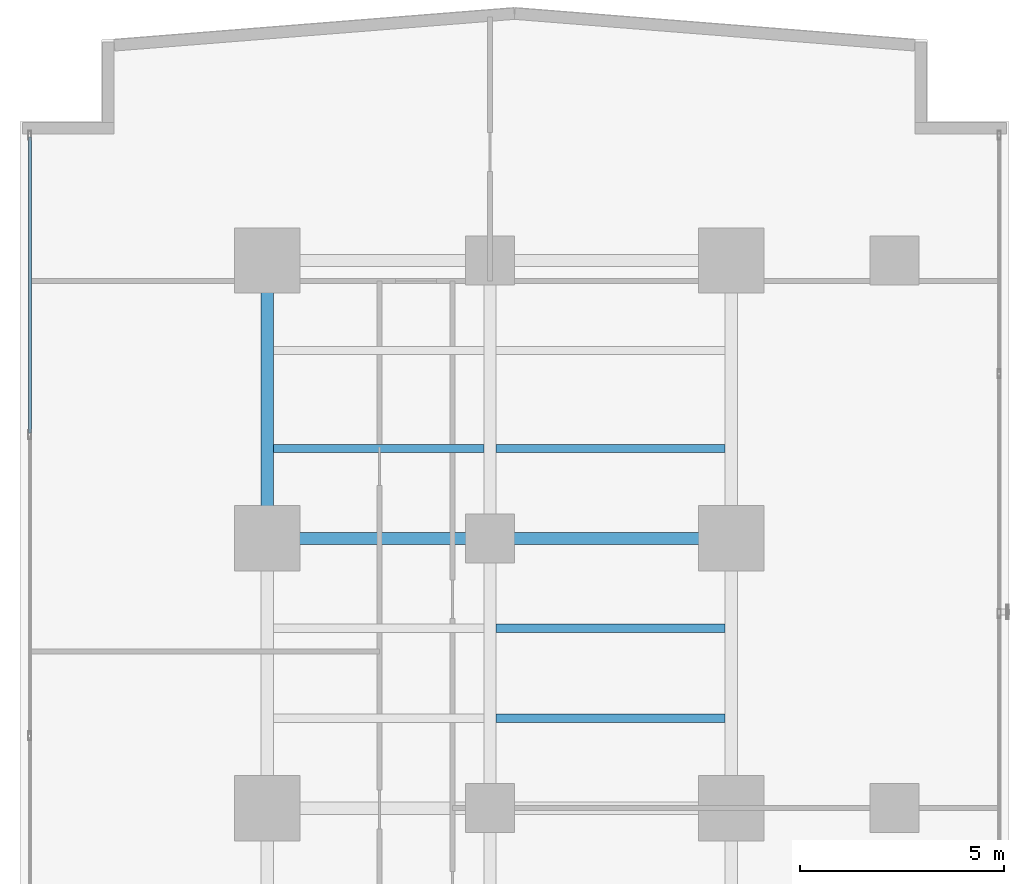
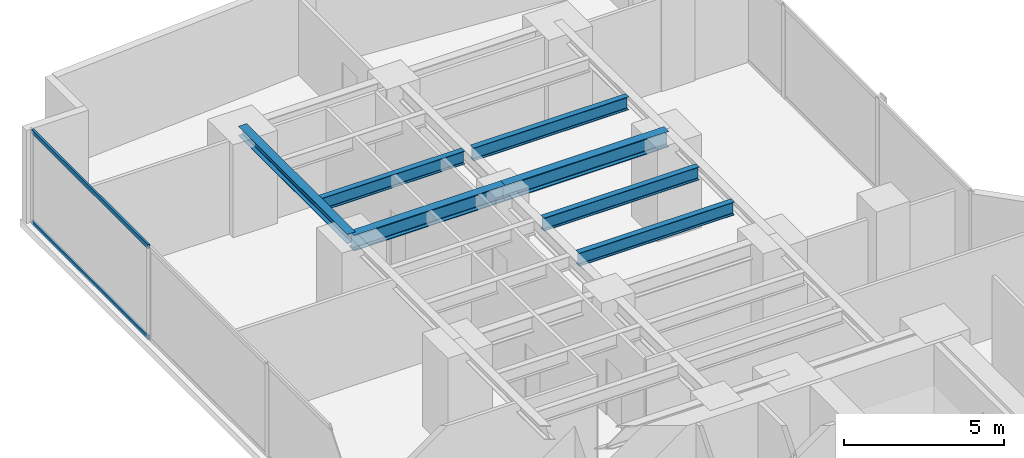
# One storey, part 16 of 28: 7 beams, 2 members, 1 element without a shape of its own.
"""IFC4 building model written with IfcOpenShell, lengths in metres."""

from ifc_helpers import new_model, si_unit, direction, frame, origin, origin_with_axes, origin_2d, place, context, subcontext, project, spatial, hollow_rectangle, i_section, extrude, source, transform, mapped, material, layer, layer_set, material_profile, profile_set, type_object, element, aggregate, save


model = new_model("IFC4")

# Units and contexts
model_context = context("Model", 3, precision=1e-05, world=origin(), true_north=direction((0.0, 1.0)))
body_context = subcontext(model_context, "Body", "Model", "MODEL_VIEW")
ifc_project = project(units=[si_unit("LENGTHUNIT", "METRE"), si_unit("AREAUNIT", "SQUARE_METRE"), si_unit("VOLUMEUNIT", "CUBIC_METRE"), si_unit("PLANEANGLEUNIT", "RADIAN"), si_unit("MASSUNIT", "GRAM", prefix="KILO")], contexts=[model_context])

# Site, building, storey
site_placement = place(None, origin())
site = spatial("IfcSite", under=ifc_project, at=site_placement, CompositionType="ELEMENT")
building_placement = place(site_placement, origin())
building = spatial("IfcBuilding", under=site, at=building_placement, Name="Kolvaren Waterfront Exchange", CompositionType="ELEMENT")
storey_placement = place(building_placement, frame((0.0, 0.0, 41.0)))
storey = spatial("IfcBuildingStorey", under=building, at=storey_placement, Name="L10", CompositionType="ELEMENT", Elevation=41.0)

# Beams
ifc_material_1 = material(Name="Steel S355", Category="steel")
ifc_material_profile_1 = material_profile(ifc_material_1, i_section(OverallWidth=0.300048828125, OverallDepth=0.360107421875, WebThickness=0.012451171875, FlangeThickness=0.0224609375, FilletRadius=0.027099609375, at=origin_2d()), Name="HEB360")
ifc_profile_set_1 = profile_set([ifc_material_profile_1], Name="Steel S355")
beam_type_1 = type_object("IfcBeamType", Name="STR-BM-HEB360", PredefinedType="SPANDREL", material=ifc_profile_set_1)
beam_1_placement = place(storey_placement, frame((7.449951171875, 37.800048828125, 3.360107421875), z_axis=(0.0, 1.0, 0.0), x_axis=(-1.0, 0.0, 0.0)))
element("IfcBeam", 1, at=beam_1_placement, inside=storey, type_object=beam_type_1, Name="L10 north-arm edge beam 3", PredefinedType="SPANDREL", context=body_context, shape_type="SweptSolid", body=[
    extrude(i_section(OverallWidth=0.300048828125, OverallDepth=0.360107421875, WebThickness=0.012451171875, FlangeThickness=0.0224609375, FilletRadius=0.027099609375, at=origin_2d()), origin(), (0.0, 0.0, 1.0), 6.800048828125),
])
ifc_material_profile_2 = material_profile(ifc_material_1, i_section(OverallWidth=0.300048828125, OverallDepth=0.60009765625, WebThickness=0.015380859375, FlangeThickness=0.030029296875, FilletRadius=0.027099609375, at=origin_2d()), Name="HEB600")
ifc_profile_set_2 = profile_set([ifc_material_profile_2], Name="Steel S355")
beam_type_2 = type_object("IfcBeamType", Name="STR-BM-HEB600", PredefinedType="BEAM", material=ifc_profile_set_2)
beam_2_placement = place(storey_placement, frame((7.449951171875, 37.800048828125, 3.239990234375), z_axis=(1.0, 0.0, 0.0), x_axis=(0.0, 1.0, 0.0)))
element("IfcBeam", 2, at=beam_2_placement, inside=storey, type_object=beam_type_2, Name="L10 north-arm girder 3A", PredefinedType="BEAM", context=body_context, shape_type="SweptSolid", body=[
    extrude(i_section(OverallWidth=0.300048828125, OverallDepth=0.60009765625, WebThickness=0.015380859375, FlangeThickness=0.030029296875, FilletRadius=0.027099609375, at=origin_2d()), origin(), (0.0, 0.0, 1.0), 5.449951171875),
])
beam_3_placement = place(storey_placement, frame((12.89990234375, 37.800048828125, 3.239990234375), z_axis=(1.0, 0.0, 0.0), x_axis=(0.0, 1.0, 0.0)))
element("IfcBeam", 3, at=beam_3_placement, inside=storey, type_object=beam_type_2, Name="L10 north-arm girder 3B", PredefinedType="BEAM", context=body_context, shape_type="SweptSolid", body=[
    extrude(i_section(OverallWidth=0.300048828125, OverallDepth=0.60009765625, WebThickness=0.015380859375, FlangeThickness=0.030029296875, FilletRadius=0.027099609375, at=origin_2d()), origin(), (0.0, 0.0, 1.0), 5.900146484375),
])
ifc_material_profile_3 = material_profile(ifc_material_1, i_section(OverallWidth=0.199951171875, OverallDepth=0.5, WebThickness=0.01025390625, FlangeThickness=0.01611328125, FilletRadius=0.02099609375, at=origin_2d()), Name="IPE500")
ifc_profile_set_3 = profile_set([ifc_material_profile_3], Name="Steel S355")
beam_type_3 = type_object("IfcBeamType", Name="STR-BM-IPE500", PredefinedType="JOIST", material=ifc_profile_set_3)
for number, where, z_axis, x_axis, name in (
    (4, (13.052001953125, 33.39990234375, 3.2900390625), (1.0, 0.0, 0.0), (0.0, 1.0, 0.0), "L10 north-arm composite joist 3B"),
    (5, (13.052001953125, 35.60009765625, 3.2900390625), (1.0, 0.0, 0.0), (0.0, 1.0, 0.0), "L10 north-arm composite joist 4B"),
):
    element("IfcBeam", number, at=place(storey_placement, frame(where, z_axis=z_axis, x_axis=x_axis)), inside=storey, type_object=beam_type_3, Name=name, PredefinedType="JOIST", context=body_context, shape_type="SweptSolid", body=[
        extrude(i_section(OverallWidth=0.199951171875, OverallDepth=0.5, WebThickness=0.01025390625, FlangeThickness=0.01611328125, FilletRadius=0.02099609375, at=origin_2d()), origin(), (0.0, 0.0, 1.0), 5.595947265625),
    ])
beam_4_placement = place(storey_placement, frame((7.60205078125, 40.0, 3.2900390625), z_axis=(1.0, 0.0, 0.0), x_axis=(0.0, 1.0, 0.0)))
element("IfcBeam", 6, at=beam_4_placement, inside=storey, type_object=beam_type_3, Name="L10 north-arm composite joist 5A", PredefinedType="JOIST", context=body_context, shape_type="SweptSolid", body=[
    extrude(i_section(OverallWidth=0.199951171875, OverallDepth=0.5, WebThickness=0.01025390625, FlangeThickness=0.01611328125, FilletRadius=0.02099609375, at=origin_2d()), origin(), (0.0, 0.0, 1.0), 5.14599609375),
])
beam_5_placement = place(storey_placement, frame((13.052001953125, 40.0, 3.2900390625), z_axis=(1.0, 0.0, 0.0), x_axis=(0.0, 1.0, 0.0)))
element("IfcBeam", 7, at=beam_5_placement, inside=storey, type_object=beam_type_3, Name="L10 north-arm composite joist 5B", PredefinedType="JOIST", context=body_context, shape_type="SweptSolid", body=[
    extrude(i_section(OverallWidth=0.199951171875, OverallDepth=0.5, WebThickness=0.01025390625, FlangeThickness=0.01611328125, FilletRadius=0.02099609375, at=origin_2d()), origin(), (0.0, 0.0, 1.0), 5.595947265625),
])

# Curtain wall, members
ifc_material_2 = material(Name="Anodised aluminium 6063-T6", Category="aluminium")
ifc_layer = layer(ifc_material_2, 0.219970703125, Name="Anodised aluminium 6063-T6")
ifc_layer_set = layer_set([ifc_layer], Name="Anodised aluminium 6063-T6")
curtain_wall_type = type_object("IfcCurtainWallType", Name="ARC-CW-SYS2", PredefinedType="USERDEFINED", material=ifc_layer_set)
curtain_wall_placement = place(storey_placement, origin())
curtain_wall = element("IfcCurtainWall", 8, at=curtain_wall_placement, inside=storey, type_object=curtain_wall_type, Name="L10 stick curtain wall CW2 (CW-L10-W)", ObjectType="STICK CURTAIN WALL", PredefinedType="USERDEFINED")
ifc_material_profile_4 = material_profile(ifc_material_2, hollow_rectangle(XDim=0.074951171875, YDim=0.159912109375, WallThickness=0.00439453125, at=origin_2d()), Name="ALU-TRN-160x75x4.5")
ifc_profile_set_4 = profile_set([ifc_material_profile_4], Name="Anodised aluminium 6063-T6")
member_type = type_object("IfcMemberType", Name="ARC-CWT-160", PredefinedType="USERDEFINED", material=ifc_profile_set_4)
shared_shape = source(origin_with_axes(), body_context, "Body", "SweptSolid", [
    extrude(hollow_rectangle(XDim=0.074951171875, YDim=0.159912109375, WallThickness=0.00439453125, at=origin_2d()), origin(), (0.0, 0.0, 1.0), 7.246826171875),
])
member_1_placement = place(storey_placement, frame((1.639892578125, 40.373291015625, 0.03759765625), z_axis=(0.0, 1.0, 0.0), x_axis=(-1.0, 0.0, 0.0)))
member_1 = element("IfcMember", 9, at=member_1_placement, type_object=member_type, Name="CW2 transom 6.1", ObjectType="TRANSOM", PredefinedType="USERDEFINED", context=body_context, shape_type="MappedRepresentation", body=[
    mapped(shared_shape, transform((0.0, 0.0, 0.0), x_axis=(1.0, 0.0, 0.0), y_axis=(0.0, 1.0, 0.0), z_axis=(0.0, 0.0, 1.0), scale=1.0)),
])
member_2_placement = place(storey_placement, frame((1.639892578125, 40.373291015625, 3.50244140625), z_axis=(0.0, 1.0, 0.0), x_axis=(-1.0, 0.0, 0.0)))
member_2 = element("IfcMember", 10, at=member_2_placement, type_object=member_type, Name="CW2 transom 6.2", ObjectType="TRANSOM", PredefinedType="USERDEFINED", context=body_context, shape_type="MappedRepresentation", body=[
    mapped(shared_shape, transform((0.0, 0.0, 0.0), x_axis=(1.0, 0.0, 0.0), y_axis=(0.0, 1.0, 0.0), z_axis=(0.0, 0.0, 1.0), scale=1.0)),
])
aggregate(curtain_wall, [member_1, member_2])

save(model, "model.ifc")
